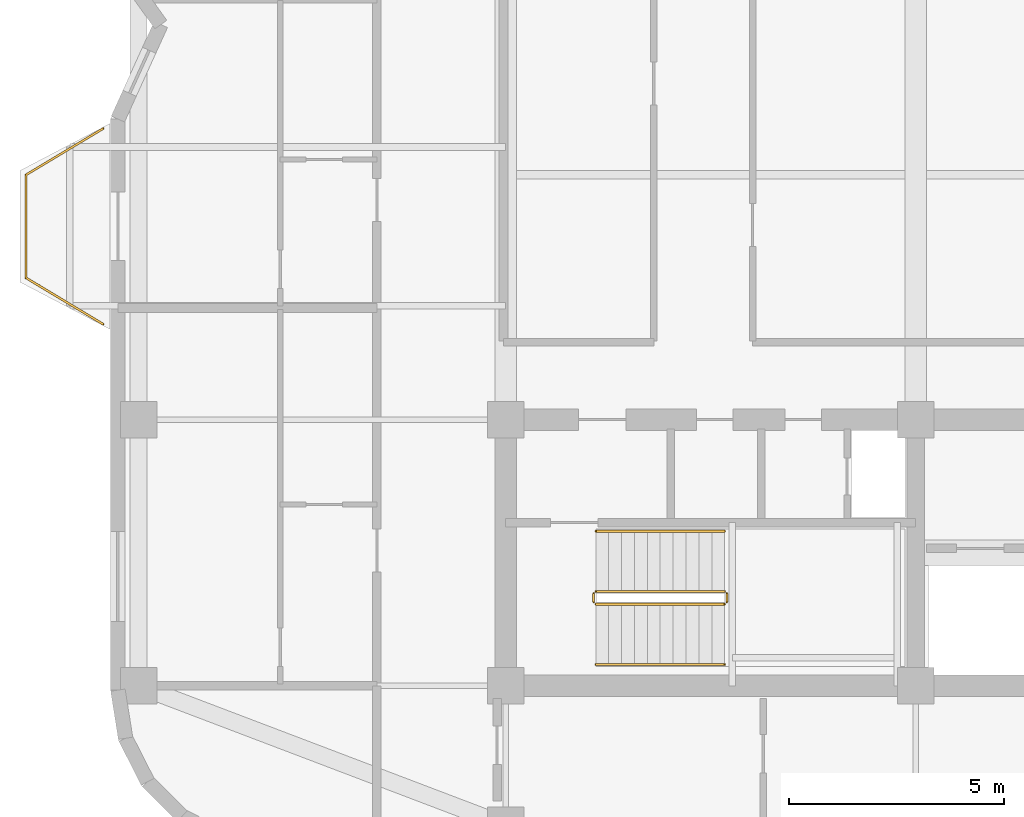
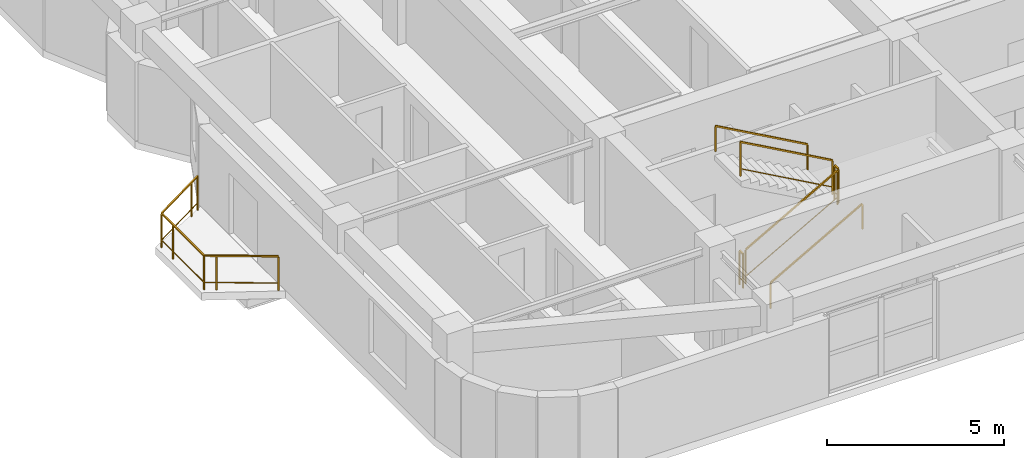
# One storey, part 13 of 14: 7 railings.
"""IFC4 building model written with IfcOpenShell, lengths in metres."""

from ifc_helpers import new_model, si_unit, direction, frame, origin, origin_2d, place, context, subcontext, project, spatial, rectangle, extrude, material, type_object, element, save


model = new_model("IFC4")

# Units and contexts
model_context = context("Model", 3, precision=1e-05, world=origin(), true_north=direction((0.0, 1.0)))
body_context = subcontext(model_context, "Body", "Model", "MODEL_VIEW")
ifc_project = project(units=[si_unit("LENGTHUNIT", "METRE"), si_unit("AREAUNIT", "SQUARE_METRE"), si_unit("VOLUMEUNIT", "CUBIC_METRE"), si_unit("PLANEANGLEUNIT", "RADIAN"), si_unit("MASSUNIT", "GRAM", prefix="KILO")], contexts=[model_context])

# Site, building, storey
site_placement = place(None, origin())
site = spatial("IfcSite", under=ifc_project, at=site_placement, CompositionType="ELEMENT")
building_placement = place(site_placement, origin())
building = spatial("IfcBuilding", under=site, at=building_placement, Name="Svetorya Sky Lyceum", CompositionType="ELEMENT")
storey_placement = place(building_placement, frame((0.0, 0.0, 218.39990234375)))
storey = spatial("IfcBuildingStorey", under=building, at=storey_placement, Name="L54", CompositionType="ELEMENT", Elevation=218.39990234375)

# Railings
ifc_material_1 = material(Name="Laminated safety glass and stainless AISI 316", Category="glass")
railing_type_1 = type_object("IfcRailingType", Name="RL-BAL-1200", PredefinedType="BALUSTRADE", material=ifc_material_1)
railing_1_placement = place(storey_placement, frame((16.22998046875, 19.02001953125, 0.0)))
element("IfcRailing", 1, at=railing_1_placement, inside=storey, type_object=railing_type_1, Name="L54 Balcony Balustrade BAL-W1", PredefinedType="BALUSTRADE", context=body_context, shape_type="SweptSolid", body=[
    extrude(rectangle(XDim=0.048095703125, YDim=0.048095703125, at=origin_2d()), frame((0.0, 0.0, 1.17578125), z_axis=(-0.857482663744, 0.514512858321, 0.0), x_axis=(-0.514512858321, -0.857482663744, 0.0)), (0.0, 0.0, 1.0), 2.09912109375),
    extrude(rectangle(XDim=0.02392578125, YDim=0.02392578125, at=origin_2d()), frame((0.0, 0.0, 0.25), z_axis=(-0.857482663744, 0.514512858321, 0.0), x_axis=(-0.514512858321, -0.857482663744, 0.0)), (0.0, 0.0, 1.0), 2.09912109375),
    extrude(rectangle(XDim=0.048095703125, YDim=0.048095703125, at=origin_2d()), frame((-1.800048828125, 1.080078125, 1.17578125), z_axis=(0.0, 1.0, 0.0), x_axis=(-1.0, 0.0, 0.0)), (0.0, 0.0, 1.0), 2.39990234375),
    extrude(rectangle(XDim=0.02392578125, YDim=0.02392578125, at=origin_2d()), frame((-1.800048828125, 1.080078125, 0.25), z_axis=(0.0, 1.0, 0.0), x_axis=(-1.0, 0.0, 0.0)), (0.0, 0.0, 1.0), 2.39990234375),
    extrude(rectangle(XDim=0.048095703125, YDim=0.048095703125, at=origin_2d()), frame((-1.800048828125, 3.47998046875, 1.17578125), z_axis=(0.857482663744, 0.514512858321, 0.0), x_axis=(-0.514512858321, 0.857482663744, 0.0)), (0.0, 0.0, 1.0), 2.09912109375),
    extrude(rectangle(XDim=0.02392578125, YDim=0.02392578125, at=origin_2d()), frame((-1.800048828125, 3.47998046875, 0.25), z_axis=(0.857482663744, 0.514512858321, 0.0), x_axis=(-0.514512858321, 0.857482663744, 0.0)), (0.0, 0.0, 1.0), 2.09912109375),
    extrude(rectangle(XDim=0.0419921875, YDim=0.0419921875, at=origin_2d()), origin(), (0.0, 0.0, 1.0), 1.15185546875),
    extrude(rectangle(XDim=0.0419921875, YDim=0.0419921875, at=origin_2d()), frame((-1.50048828125, 0.900390625, 0.0)), (0.0, 0.0, 1.0), 1.15185546875),
    extrude(rectangle(XDim=0.0419921875, YDim=0.0419921875, at=origin_2d()), frame((-1.800048828125, 1.080078125, 0.0)), (0.0, 0.0, 1.0), 1.15185546875),
    extrude(rectangle(XDim=0.0419921875, YDim=0.0419921875, at=origin_2d()), frame((-1.800048828125, 2.830078125, 0.0)), (0.0, 0.0, 1.0), 1.15185546875),
    extrude(rectangle(XDim=0.0419921875, YDim=0.0419921875, at=origin_2d()), frame((-1.800048828125, 3.47998046875, 0.0)), (0.0, 0.0, 1.0), 1.15185546875),
    extrude(rectangle(XDim=0.0419921875, YDim=0.0419921875, at=origin_2d()), frame((-0.299560546875, 4.38037109375, 0.0)), (0.0, 0.0, 1.0), 1.15185546875),
    extrude(rectangle(XDim=0.0419921875, YDim=0.0419921875, at=origin_2d()), frame((0.0, 4.56005859375, 0.0)), (0.0, 0.0, 1.0), 1.15185546875),
])
ifc_material_2 = material(Name="Painted galvanized stair well guard")
railing_type_2 = type_object("IfcRailingType", Name="RL-STR-GUARD-1200", PredefinedType="GUARDRAIL", material=ifc_material_2)
railing_2_placement = place(storey_placement, frame((27.699951171875, 12.5, 0.168212890625)))
element("IfcRailing", 2, at=railing_2_placement, inside=storey, type_object=railing_type_2, Name="L54 ST-S stair guard 1", PredefinedType="GUARDRAIL", context=body_context, shape_type="SweptSolid", body=[
    extrude(rectangle(XDim=0.048095703125, YDim=0.048095703125, at=origin_2d()), frame((0.0, 0.0, 1.17578125), z_axis=(0.872272294576, 0.0, 0.489020494575), x_axis=(0.0, 1.0, 0.0)), (0.0, 0.0, 1.0), 3.439208984375),
    extrude(rectangle(XDim=0.02392578125, YDim=0.02392578125, at=origin_2d()), frame((0.0, 0.0, 0.25), z_axis=(0.872272294576, 0.0, 0.489020494575), x_axis=(0.0, 1.0, 0.0)), (0.0, 0.0, 1.0), 3.439208984375),
    extrude(rectangle(XDim=0.0419921875, YDim=0.0419921875, at=origin_2d()), origin(), (0.0, 0.0, 1.0), 1.15185546875),
    extrude(rectangle(XDim=0.0419921875, YDim=0.0419921875, at=origin_2d()), frame((3.0, 0.0, 1.681884765625)), (0.0, 0.0, 1.0), 1.15185546875),
])
railing_3_placement = place(storey_placement, frame((30.75, 12.550048828125, 1.85009765625)))
element("IfcRailing", 3, at=railing_3_placement, inside=storey, type_object=railing_type_2, Name="L54 ST-S stair guard 2", PredefinedType="GUARDRAIL", context=body_context, shape_type="SweptSolid", body=[
    extrude(rectangle(XDim=0.048095703125, YDim=0.048095703125, at=origin_2d()), frame((0.0, 0.0, 1.17578125), z_axis=(0.0, 1.0, 0.0), x_axis=(-1.0, 0.0, 0.0)), (0.0, 0.0, 1.0), 0.199951171875),
    extrude(rectangle(XDim=0.02392578125, YDim=0.02392578125, at=origin_2d()), frame((0.0, 0.0, 0.25), z_axis=(0.0, 1.0, 0.0), x_axis=(-1.0, 0.0, 0.0)), (0.0, 0.0, 1.0), 0.199951171875),
    extrude(rectangle(XDim=0.0419921875, YDim=0.0419921875, at=origin_2d()), origin(), (0.0, 0.0, 1.0), 1.15185546875),
    extrude(rectangle(XDim=0.0419921875, YDim=0.0419921875, at=origin_2d()), frame((0.0, 0.199951171875, 0.0)), (0.0, 0.0, 1.0), 1.15185546875),
])
railing_4_placement = place(storey_placement, frame((30.699951171875, 12.800048828125, 2.018310546875)))
element("IfcRailing", 4, at=railing_4_placement, inside=storey, type_object=railing_type_2, Name="L54 ST-S stair guard 3", PredefinedType="GUARDRAIL", context=body_context, shape_type="SweptSolid", body=[
    extrude(rectangle(XDim=0.048095703125, YDim=0.048095703125, at=origin_2d()), frame((0.0, 0.0, 1.17578125), z_axis=(-0.872272294576, 0.0, 0.489020494575), x_axis=(0.0, -1.0, 0.0)), (0.0, 0.0, 1.0), 3.439208984375),
    extrude(rectangle(XDim=0.02392578125, YDim=0.02392578125, at=origin_2d()), frame((0.0, 0.0, 0.25), z_axis=(-0.872272294576, 0.0, 0.489020494575), x_axis=(0.0, -1.0, 0.0)), (0.0, 0.0, 1.0), 3.439208984375),
    extrude(rectangle(XDim=0.0419921875, YDim=0.0419921875, at=origin_2d()), origin(), (0.0, 0.0, 1.0), 1.15185546875),
    extrude(rectangle(XDim=0.0419921875, YDim=0.0419921875, at=origin_2d()), frame((-3.0, 0.0, 1.681884765625)), (0.0, 0.0, 1.0), 1.15185546875),
])
railing_5_placement = place(storey_placement, frame((27.64990234375, 12.550048828125, 0.0)))
element("IfcRailing", 5, at=railing_5_placement, inside=storey, type_object=railing_type_2, Name="L54 ST-S stair guard 4", PredefinedType="GUARDRAIL", context=body_context, shape_type="SweptSolid", body=[
    extrude(rectangle(XDim=0.048095703125, YDim=0.048095703125, at=origin_2d()), frame((0.0, 0.0, 1.17578125), z_axis=(0.0, 1.0, 0.0), x_axis=(-1.0, 0.0, 0.0)), (0.0, 0.0, 1.0), 0.199951171875),
    extrude(rectangle(XDim=0.02392578125, YDim=0.02392578125, at=origin_2d()), frame((0.0, 0.0, 0.25), z_axis=(0.0, 1.0, 0.0), x_axis=(-1.0, 0.0, 0.0)), (0.0, 0.0, 1.0), 0.199951171875),
    extrude(rectangle(XDim=0.0419921875, YDim=0.0419921875, at=origin_2d()), origin(), (0.0, 0.0, 1.0), 1.15185546875),
    extrude(rectangle(XDim=0.0419921875, YDim=0.0419921875, at=origin_2d()), frame((0.0, 0.199951171875, 0.0)), (0.0, 0.0, 1.0), 1.15185546875),
])
ifc_material_3 = material(Name="Brushed stainless AISI 304 stair handrail")
railing_type_3 = type_object("IfcRailingType", Name="RL-STR-HAND-920", PredefinedType="HANDRAIL", material=ifc_material_3)
railing_6_placement = place(storey_placement, frame((27.699951171875, 11.10009765625, 0.168212890625)))
element("IfcRailing", 6, at=railing_6_placement, inside=storey, type_object=railing_type_3, Name="L54 ST-S stair handrail 1", PredefinedType="HANDRAIL", context=body_context, shape_type="SweptSolid", body=[
    extrude(rectangle(XDim=0.048095703125, YDim=0.048095703125, at=origin_2d()), frame((0.0, 0.0, 0.8759765625), z_axis=(0.872272294576, 0.0, 0.489020494575), x_axis=(0.0, 1.0, 0.0)), (0.0, 0.0, 1.0), 3.439208984375),
    extrude(rectangle(XDim=0.0419921875, YDim=0.0419921875, at=origin_2d()), origin(), (0.0, 0.0, 1.0), 0.851806640625),
    extrude(rectangle(XDim=0.0419921875, YDim=0.0419921875, at=origin_2d()), frame((3.0, 0.0, 1.681884765625)), (0.0, 0.0, 1.0), 0.851806640625),
])
railing_7_placement = place(storey_placement, frame((30.699951171875, 14.199951171875, 2.018310546875)))
element("IfcRailing", 7, at=railing_7_placement, inside=storey, type_object=railing_type_3, Name="L54 ST-S stair handrail 2", PredefinedType="HANDRAIL", context=body_context, shape_type="SweptSolid", body=[
    extrude(rectangle(XDim=0.048095703125, YDim=0.048095703125, at=origin_2d()), frame((0.0, 0.0, 0.8759765625), z_axis=(-0.872272294576, 0.0, 0.489020494575), x_axis=(0.0, -1.0, 0.0)), (0.0, 0.0, 1.0), 3.439208984375),
    extrude(rectangle(XDim=0.0419921875, YDim=0.0419921875, at=origin_2d()), origin(), (0.0, 0.0, 1.0), 0.851806640625),
    extrude(rectangle(XDim=0.0419921875, YDim=0.0419921875, at=origin_2d()), frame((-3.0, 0.0, 1.681884765625)), (0.0, 0.0, 1.0), 0.851806640625),
])

save(model, "model.ifc")
